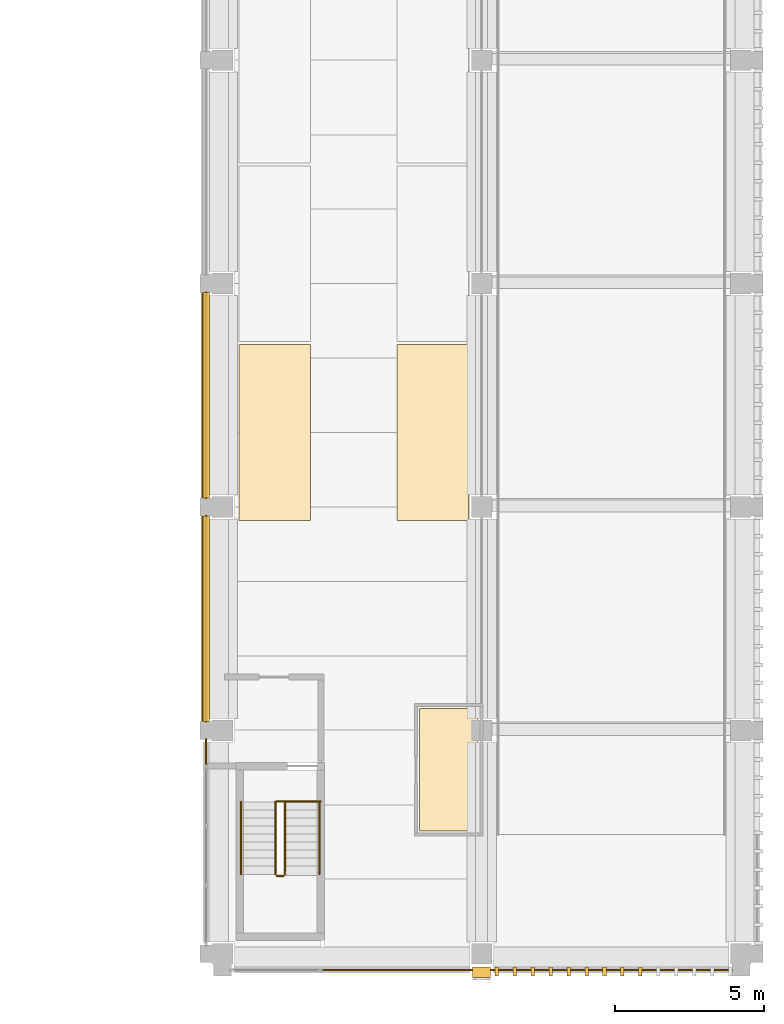
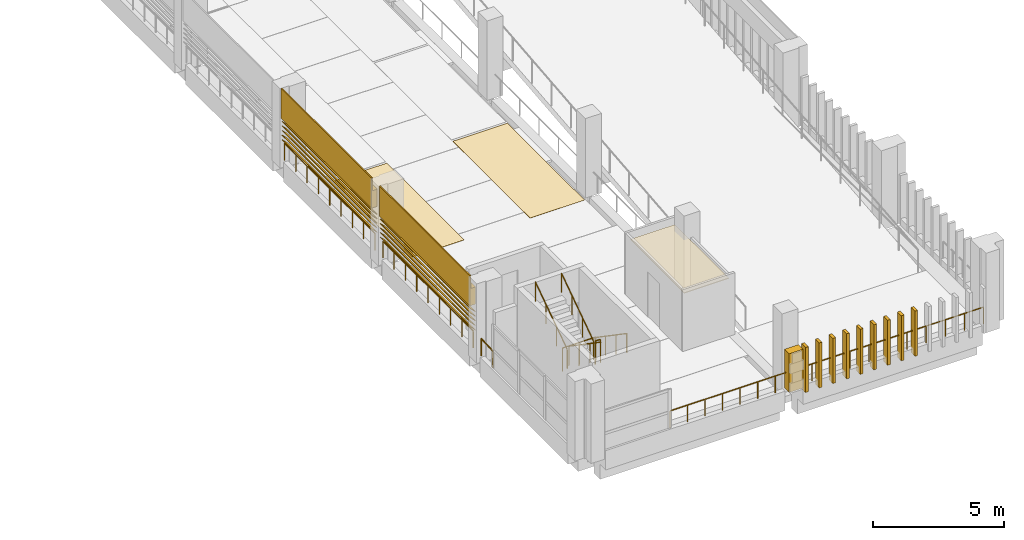
# One storey, part 19 of 24: 15 coverings, 11 railings, 10 shading devices.
"""IFC4 building model written with IfcOpenShell, lengths in metres."""

from ifc_helpers import new_model, si_unit, direction, frame, origin, origin_2d, place, context, subcontext, project, spatial, polyline, circle, outline, extrude, material, layer, layer_set, type_object, element, save


model = new_model("IFC4")

# Units and contexts
model_context = context("Model", 3, precision=1e-05, world=origin(), true_north=direction((0.0, 1.0)))
body_context = subcontext(model_context, "Body", "Model", "MODEL_VIEW")
ifc_project = project(units=[si_unit("LENGTHUNIT", "METRE"), si_unit("AREAUNIT", "SQUARE_METRE"), si_unit("VOLUMEUNIT", "CUBIC_METRE"), si_unit("PLANEANGLEUNIT", "RADIAN"), si_unit("MASSUNIT", "GRAM", prefix="KILO")], contexts=[model_context])

# Site, building, storey
site_placement = place(None, origin())
site = spatial("IfcSite", under=ifc_project, at=site_placement, CompositionType="ELEMENT")
building_placement = place(site_placement, origin())
building = spatial("IfcBuilding", under=site, at=building_placement, Name="Cour d'Honneur Mobility Palace", CompositionType="ELEMENT")
storey_placement = place(building_placement, frame((0.0, 0.0, 26.699951171875)))
storey = spatial("IfcBuildingStorey", under=building, at=storey_placement, Name="L07", CompositionType="ELEMENT", Elevation=26.699951171875)

# Railings
ifc_material_1 = material(Name="Painted steel", Category="steel")
railing_type_1 = type_object("IfcRailingType", Name="Balustrade", PredefinedType="BALUSTRADE", material=ifc_material_1)
railing_1_placement = place(storey_placement, frame((148.199951171875, -0.550048828125, 0.300048828125)))
element("IfcRailing", 1, at=railing_1_placement, inside=storey, type_object=railing_type_1, Name="Balustrade BAL-376", PredefinedType="BALUSTRADE", context=body_context, shape_type="SweptSolid", body=[
    extrude(circle(Radius=0.02392578125, at=origin_2d()), frame((0.0, 0.0, 0.77587890625), z_axis=(1.0, 0.0, 0.0), x_axis=(0.0, 1.0, 0.0)), (0.0, 0.0, 1.0), 5.400146484375),
    extrude(circle(Radius=0.02099609375, at=origin_2d()), origin(), (0.0, 0.0, 1.0), 0.751953125),
    extrude(circle(Radius=0.02099609375, at=origin_2d()), frame((0.771484375, 0.0, 0.0)), (0.0, 0.0, 1.0), 0.751953125),
    extrude(circle(Radius=0.02099609375, at=origin_2d()), frame((1.54296875, 0.0, 0.0)), (0.0, 0.0, 1.0), 0.751953125),
    extrude(circle(Radius=0.02099609375, at=origin_2d()), frame((2.314453125, 0.0, 0.0)), (0.0, 0.0, 1.0), 0.751953125),
    extrude(circle(Radius=0.02099609375, at=origin_2d()), frame((3.085693359375, 0.0, 0.0)), (0.0, 0.0, 1.0), 0.751953125),
    extrude(circle(Radius=0.02099609375, at=origin_2d()), frame((3.857177734375, 0.0, 0.0)), (0.0, 0.0, 1.0), 0.751953125),
    extrude(circle(Radius=0.02099609375, at=origin_2d()), frame((4.628662109375, 0.0, 0.0)), (0.0, 0.0, 1.0), 0.751953125),
    extrude(circle(Radius=0.02099609375, at=origin_2d()), frame((5.400146484375, 0.0, 0.0)), (0.0, 0.0, 1.0), 0.751953125),
])
railing_2_placement = place(storey_placement, frame((153.60009765625, -0.550048828125, 0.300048828125)))
element("IfcRailing", 2, at=railing_2_placement, inside=storey, type_object=railing_type_1, Name="Balustrade BAL-377", PredefinedType="BALUSTRADE", context=body_context, shape_type="SweptSolid", body=[
    extrude(circle(Radius=0.02392578125, at=origin_2d()), frame((0.0, 0.0, 0.77587890625), z_axis=(1.0, 0.0, 0.0), x_axis=(0.0, 1.0, 0.0)), (0.0, 0.0, 1.0), 8.39990234375),
    extrude(circle(Radius=0.02099609375, at=origin_2d()), origin(), (0.0, 0.0, 1.0), 0.751953125),
    extrude(circle(Radius=0.02099609375, at=origin_2d()), frame((0.840087890625, 0.0, 0.0)), (0.0, 0.0, 1.0), 0.751953125),
    extrude(circle(Radius=0.02099609375, at=origin_2d()), frame((1.679931640625, 0.0, 0.0)), (0.0, 0.0, 1.0), 0.751953125),
    extrude(circle(Radius=0.02099609375, at=origin_2d()), frame((2.52001953125, 0.0, 0.0)), (0.0, 0.0, 1.0), 0.751953125),
    extrude(circle(Radius=0.02099609375, at=origin_2d()), frame((3.35986328125, 0.0, 0.0)), (0.0, 0.0, 1.0), 0.751953125),
    extrude(circle(Radius=0.02099609375, at=origin_2d()), frame((4.199951171875, 0.0, 0.0)), (0.0, 0.0, 1.0), 0.751953125),
    extrude(circle(Radius=0.02099609375, at=origin_2d()), frame((5.0400390625, 0.0, 0.0)), (0.0, 0.0, 1.0), 0.751953125),
    extrude(circle(Radius=0.02099609375, at=origin_2d()), frame((5.8798828125, 0.0, 0.0)), (0.0, 0.0, 1.0), 0.751953125),
    extrude(circle(Radius=0.02099609375, at=origin_2d()), frame((6.719970703125, 0.0, 0.0)), (0.0, 0.0, 1.0), 0.751953125),
    extrude(circle(Radius=0.02099609375, at=origin_2d()), frame((7.559814453125, 0.0, 0.0)), (0.0, 0.0, 1.0), 0.751953125),
    extrude(circle(Radius=0.02099609375, at=origin_2d()), frame((8.39990234375, 0.0, 0.0)), (0.0, 0.0, 1.0), 0.751953125),
])
for number, where, name in (
    (3, (144.35009765625, 22.199951171875, 0.300048828125), "Balustrade BAL-385"),
    (4, (144.35009765625, 14.699951171875, 0.300048828125), "Balustrade BAL-386"),
):
    element("IfcRailing", number, at=place(storey_placement, frame(where)), inside=storey, type_object=railing_type_1, Name=name, PredefinedType="BALUSTRADE", context=body_context, shape_type="SweptSolid", body=[
        extrude(circle(Radius=0.02392578125, at=origin_2d()), frame((0.0, 0.0, 0.77587890625), z_axis=(0.0, -1.0, 0.0), x_axis=(1.0, 0.0, 0.0)), (0.0, 0.0, 1.0), 6.89990234375),
        extrude(circle(Radius=0.02099609375, at=origin_2d()), origin(), (0.0, 0.0, 1.0), 0.751953125),
        extrude(circle(Radius=0.02099609375, at=origin_2d()), frame((0.0, -0.862548828125, 0.0)), (0.0, 0.0, 1.0), 0.751953125),
        extrude(circle(Radius=0.02099609375, at=origin_2d()), frame((0.0, -1.72509765625, 0.0)), (0.0, 0.0, 1.0), 0.751953125),
        extrude(circle(Radius=0.02099609375, at=origin_2d()), frame((0.0, -2.58740234375, 0.0)), (0.0, 0.0, 1.0), 0.751953125),
        extrude(circle(Radius=0.02099609375, at=origin_2d()), frame((0.0, -3.449951171875, 0.0)), (0.0, 0.0, 1.0), 0.751953125),
        extrude(circle(Radius=0.02099609375, at=origin_2d()), frame((0.0, -4.3125, 0.0)), (0.0, 0.0, 1.0), 0.751953125),
        extrude(circle(Radius=0.02099609375, at=origin_2d()), frame((0.0, -5.1748046875, 0.0)), (0.0, 0.0, 1.0), 0.751953125),
        extrude(circle(Radius=0.02099609375, at=origin_2d()), frame((0.0, -6.037353515625, 0.0)), (0.0, 0.0, 1.0), 0.751953125),
        extrude(circle(Radius=0.02099609375, at=origin_2d()), frame((0.0, -6.89990234375, 0.0)), (0.0, 0.0, 1.0), 0.751953125),
    ])
railing_3_placement = place(storey_placement, frame((144.35009765625, 7.199951171875, 0.300048828125)))
element("IfcRailing", 5, at=railing_3_placement, inside=storey, type_object=railing_type_1, Name="Balustrade BAL-387", PredefinedType="BALUSTRADE", context=body_context, shape_type="SweptSolid", body=[
    extrude(circle(Radius=0.02392578125, at=origin_2d()), frame((0.0, 0.0, 0.77587890625), z_axis=(0.0, -1.0, 0.0), x_axis=(1.0, 0.0, 0.0)), (0.0, 0.0, 1.0), 0.89990234375),
    extrude(circle(Radius=0.02099609375, at=origin_2d()), origin(), (0.0, 0.0, 1.0), 0.751953125),
    extrude(circle(Radius=0.02099609375, at=origin_2d()), frame((0.0, -0.89990234375, 0.0)), (0.0, 0.0, 1.0), 0.751953125),
])
ifc_material_2 = material(Name="Painted steel", Category="steel")
railing_type_2 = type_object("IfcRailingType", Name="Guardrail 1100", PredefinedType="GUARDRAIL", material=ifc_material_2)
railing_4_placement = place(storey_placement, frame((146.72509765625, 5.1201171875, 0.0)))
element("IfcRailing", 6, at=railing_4_placement, inside=storey, type_object=railing_type_2, Name="Guard ST-RE1", PredefinedType="GUARDRAIL", context=body_context, shape_type="SweptSolid", body=[
    extrude(circle(Radius=0.02490234375, at=origin_2d()), frame((0.0, 0.0, 1.0751953125), z_axis=(1.0, 0.0, 0.0), x_axis=(0.0, 1.0, 0.0)), (0.0, 0.0, 1.0), 1.474853515625),
    extrude(circle(Radius=0.02099609375, at=origin_2d()), origin(), (0.0, 0.0, 1.0), 1.050048828125),
    extrude(circle(Radius=0.02099609375, at=origin_2d()), frame((0.7373046875, 0.0, 0.0)), (0.0, 0.0, 1.0), 1.050048828125),
    extrude(circle(Radius=0.02099609375, at=origin_2d()), frame((1.474853515625, 0.0, 0.0)), (0.0, 0.0, 1.0), 1.050048828125),
])
railing_5_placement = place(storey_placement, frame((146.72509765625, 2.610107421875, 1.85009765625)))
element("IfcRailing", 7, at=railing_5_placement, inside=storey, type_object=railing_type_2, Name="Landing guard ST-RE1", PredefinedType="GUARDRAIL", context=body_context, shape_type="SweptSolid", body=[
    extrude(circle(Radius=0.02490234375, at=origin_2d()), frame((0.0, 0.0, 1.0751953125), z_axis=(1.0, 0.0, 0.0), x_axis=(0.0, 1.0, 0.0)), (0.0, 0.0, 1.0), 0.224853515625),
    extrude(circle(Radius=0.02099609375, at=origin_2d()), origin(), (0.0, 0.0, 1.0), 1.050048828125),
    extrude(circle(Radius=0.02099609375, at=origin_2d()), frame((0.224853515625, 0.0, 0.0)), (0.0, 0.0, 1.0), 1.050048828125),
])
ifc_material_3 = material(Name="Stainless steel", Category="steel")
railing_type_3 = type_object("IfcRailingType", Name="Handrail round 50", PredefinedType="HANDRAIL", material=ifc_material_3)
for number, where, name in (
    (8, (148.14990234375, 5.10009765625, 0.18505859375), "Handrail ST-RE1"),
    (9, (147.0, 5.10009765625, 0.18505859375), "Handrail ST-RE1"),
):
    element("IfcRailing", number, at=place(storey_placement, frame(where)), inside=storey, type_object=railing_type_3, Name=name, PredefinedType="HANDRAIL", context=body_context, shape_type="SweptSolid", body=[
        extrude(circle(Radius=0.02490234375, at=origin_2d()), frame((0.0, 0.0, 0.89501953125), z_axis=(0.0, -0.824945253146, 0.565212640793), x_axis=(1.0, 0.0, 0.0)), (0.0, 0.0, 1.0), 2.94580078125),
        extrude(circle(Radius=0.02099609375, at=origin_2d()), origin(), (0.0, 0.0, 1.0), 0.869873046875),
        extrude(circle(Radius=0.02099609375, at=origin_2d()), frame((0.0, -0.81005859375, 0.554931640625)), (0.0, 0.0, 1.0), 0.869873046875),
        extrude(circle(Radius=0.02099609375, at=origin_2d()), frame((0.0, -1.6201171875, 1.110107421875)), (0.0, 0.0, 1.0), 0.869873046875),
        extrude(circle(Radius=0.02099609375, at=origin_2d()), frame((0.0, -2.43017578125, 1.6650390625)), (0.0, 0.0, 1.0), 0.869873046875),
    ])
for number, where, name in (
    (10, (146.675048828125, 2.669921875, 2.03515625), "Handrail ST-RE1"),
    (11, (145.52490234375, 2.669921875, 2.03515625), "Handrail ST-RE1"),
):
    element("IfcRailing", number, at=place(storey_placement, frame(where)), inside=storey, type_object=railing_type_3, Name=name, PredefinedType="HANDRAIL", context=body_context, shape_type="SweptSolid", body=[
        extrude(circle(Radius=0.02490234375, at=origin_2d()), frame((0.0, 0.0, 0.89501953125), z_axis=(0.0, 0.824983895463, 0.565156237006), x_axis=(-1.0, 0.0, 0.0)), (0.0, 0.0, 1.0), 2.94580078125),
        extrude(circle(Radius=0.02099609375, at=origin_2d()), origin(), (0.0, 0.0, 1.0), 0.869873046875),
        extrude(circle(Radius=0.02099609375, at=origin_2d()), frame((0.0, 0.81005859375, 0.554931640625)), (0.0, 0.0, 1.0), 0.869873046875),
        extrude(circle(Radius=0.02099609375, at=origin_2d()), frame((0.0, 1.6201171875, 1.10986328125)), (0.0, 0.0, 1.0), 0.869873046875),
        extrude(circle(Radius=0.02099609375, at=origin_2d()), frame((0.0, 2.43017578125, 1.664794921875)), (0.0, 0.0, 1.0), 0.869873046875),
    ])

# Coverings
ifc_material_4 = material(Name="Parking marking paint")
ifc_layer_1 = layer(ifc_material_4, 0.0048828125)
ifc_layer_set_1 = layer_set([ifc_layer_1], Name="Parking marking paint")
covering_type_1 = type_object("IfcCoveringType", Name="Parking bay marking", PredefinedType="FLOORING", material=ifc_layer_set_1)
covering_1_placement = place(storey_placement, origin())
element("IfcCovering", 12, at=covering_1_placement, inside=storey, type_object=covering_type_1, Name="Parking bay marking L07 1", PredefinedType="FLOORING", context=body_context, shape_type="SweptSolid", body=[
    extrude(outline(polyline([(153.14990234375, 14.550048828125), (150.75, 14.550048828125), (150.75, 20.449951171875), (153.14990234375, 20.449951171875), (153.14990234375, 14.550048828125)])), origin(), (0.0, 0.0, 1.0), 0.005126953125),
])
covering_2_placement = place(storey_placement, origin())
element("IfcCovering", 13, at=covering_2_placement, inside=storey, type_object=covering_type_1, Name="Parking bay marking L07 5", PredefinedType="FLOORING", context=body_context, shape_type="SweptSolid", body=[
    extrude(outline(polyline([(147.85009765625, 14.550048828125), (145.449951171875, 14.550048828125), (145.449951171875, 20.449951171875), (147.85009765625, 20.449951171875), (147.85009765625, 14.550048828125)])), origin(), (0.0, 0.0, 1.0), 0.005126953125),
])
ifc_material_5 = material(Name="Cast limestone", Category="masonry")
ifc_layer_2 = layer(ifc_material_5, 0.35009765625)
ifc_layer_set_2 = layer_set([ifc_layer_2], Name="Cast limestone")
covering_type_2 = type_object("IfcCoveringType", Name="Pier pilaster", PredefinedType="CLADDING", material=ifc_layer_set_2)
covering_3_placement = place(storey_placement, frame((0.0, 0.0, 0.300048828125)))
element("IfcCovering", 14, at=covering_3_placement, inside=storey, type_object=covering_type_2, Name="Pier pilaster PN-14", PredefinedType="CLADDING", context=body_context, shape_type="SweptSolid", body=[
    extrude(outline(polyline([(153.300048828125, -0.449951171875), (153.89990234375, -0.449951171875), (153.89990234375, -0.800048828125), (153.300048828125, -0.800048828125), (153.300048828125, -0.449951171875)])), origin(), (0.0, 0.0, 1.0), 1.800048828125),
])
ifc_material_6 = material(Name="Cast limestone", Category="masonry")
ifc_layer_3 = layer(ifc_material_6, 0.1201171875)
ifc_layer_set_3 = layer_set([ifc_layer_3], Name="Cast limestone")
covering_type_3 = type_object("IfcCoveringType", Name="Ramp screen fin", PredefinedType="CLADDING", material=ifc_layer_set_3)
covering_4_placement = place(storey_placement, origin())
element("IfcCovering", 15, at=covering_4_placement, inside=storey, type_object=covering_type_3, Name="Ramp screen fin S4.1 L07 1", PredefinedType="CLADDING", context=body_context, shape_type="SweptSolid", body=[
    extrude(outline(polyline([(154.050048828125, -0.449951171875), (154.169921875, -0.449951171875), (154.169921875, -0.75), (154.050048828125, -0.75), (154.050048828125, -0.449951171875)])), origin(), (0.0, 0.0, 1.0), 2.10009765625),
])
covering_5_placement = place(storey_placement, origin())
element("IfcCovering", 16, at=covering_5_placement, inside=storey, type_object=covering_type_3, Name="Ramp screen fin S4.1 L07 2", PredefinedType="CLADDING", context=body_context, shape_type="SweptSolid", body=[
    extrude(outline(polyline([(154.65234375, -0.449951171875), (154.772216796875, -0.449951171875), (154.772216796875, -0.75), (154.65234375, -0.75), (154.65234375, -0.449951171875)])), origin(), (0.0, 0.0, 1.0), 2.10009765625),
])
covering_6_placement = place(storey_placement, origin())
element("IfcCovering", 17, at=covering_6_placement, inside=storey, type_object=covering_type_3, Name="Ramp screen fin S4.1 L07 3", PredefinedType="CLADDING", context=body_context, shape_type="SweptSolid", body=[
    extrude(outline(polyline([(155.254638671875, -0.449951171875), (155.37451171875, -0.449951171875), (155.37451171875, -0.75), (155.254638671875, -0.75), (155.254638671875, -0.449951171875)])), origin(), (0.0, 0.0, 1.0), 2.10009765625),
])
covering_7_placement = place(storey_placement, origin())
element("IfcCovering", 18, at=covering_7_placement, inside=storey, type_object=covering_type_3, Name="Ramp screen fin S4.1 L07 4", PredefinedType="CLADDING", context=body_context, shape_type="SweptSolid", body=[
    extrude(outline(polyline([(155.85693359375, -0.449951171875), (155.976806640625, -0.449951171875), (155.976806640625, -0.75), (155.85693359375, -0.75), (155.85693359375, -0.449951171875)])), origin(), (0.0, 0.0, 1.0), 2.10009765625),
])
covering_8_placement = place(storey_placement, origin())
element("IfcCovering", 19, at=covering_8_placement, inside=storey, type_object=covering_type_3, Name="Ramp screen fin S4.1 L07 5", PredefinedType="CLADDING", context=body_context, shape_type="SweptSolid", body=[
    extrude(outline(polyline([(156.459228515625, -0.449951171875), (156.579345703125, -0.449951171875), (156.579345703125, -0.75), (156.459228515625, -0.75), (156.459228515625, -0.449951171875)])), origin(), (0.0, 0.0, 1.0), 2.10009765625),
])
covering_9_placement = place(storey_placement, origin())
element("IfcCovering", 20, at=covering_9_placement, inside=storey, type_object=covering_type_3, Name="Ramp screen fin S4.1 L07 6", PredefinedType="CLADDING", context=body_context, shape_type="SweptSolid", body=[
    extrude(outline(polyline([(157.0615234375, -0.449951171875), (157.181640625, -0.449951171875), (157.181640625, -0.75), (157.0615234375, -0.75), (157.0615234375, -0.449951171875)])), origin(), (0.0, 0.0, 1.0), 2.10009765625),
])
covering_10_placement = place(storey_placement, origin())
element("IfcCovering", 21, at=covering_10_placement, inside=storey, type_object=covering_type_3, Name="Ramp screen fin S4.1 L07 7", PredefinedType="CLADDING", context=body_context, shape_type="SweptSolid", body=[
    extrude(outline(polyline([(157.663818359375, -0.449951171875), (157.783935546875, -0.449951171875), (157.783935546875, -0.75), (157.663818359375, -0.75), (157.663818359375, -0.449951171875)])), origin(), (0.0, 0.0, 1.0), 2.10009765625),
])
covering_11_placement = place(storey_placement, origin())
element("IfcCovering", 22, at=covering_11_placement, inside=storey, type_object=covering_type_3, Name="Ramp screen fin S4.1 L07 8", PredefinedType="CLADDING", context=body_context, shape_type="SweptSolid", body=[
    extrude(outline(polyline([(158.26611328125, -0.449951171875), (158.38623046875, -0.449951171875), (158.38623046875, -0.75), (158.26611328125, -0.75), (158.26611328125, -0.449951171875)])), origin(), (0.0, 0.0, 1.0), 2.10009765625),
])
covering_12_placement = place(storey_placement, origin())
element("IfcCovering", 23, at=covering_12_placement, inside=storey, type_object=covering_type_3, Name="Ramp screen fin S4.1 L07 9", PredefinedType="CLADDING", context=body_context, shape_type="SweptSolid", body=[
    extrude(outline(polyline([(158.868408203125, -0.449951171875), (158.988525390625, -0.449951171875), (158.988525390625, -0.75), (158.868408203125, -0.75), (158.868408203125, -0.449951171875)])), origin(), (0.0, 0.0, 1.0), 2.10009765625),
])
ifc_material_7 = material(Name="Cast limestone", Category="masonry")
ifc_layer_4 = layer(ifc_material_7, 0.25)
ifc_layer_set_4 = layer_set([ifc_layer_4], Name="Cast limestone")
covering_type_4 = type_object("IfcCoveringType", Name="Spandrel cladding", PredefinedType="CLADDING", material=ifc_layer_set_4)
for number, where, z_axis, x_axis, name in (
    (24, (144.449951171875, 22.199951171875, 2.300048828125), (0.0, 1.0, 0.0), (-1.0, 0.0, 0.0), "Spandrel cladding SK-389"),
    (25, (144.449951171875, 14.699951171875, 2.300048828125), (0.0, 1.0, 0.0), (-1.0, 0.0, 0.0), "Spandrel cladding SK-390"),
):
    element("IfcCovering", number, at=place(storey_placement, frame(where, z_axis=z_axis, x_axis=x_axis)), inside=storey, type_object=covering_type_4, Name=name, PredefinedType="CLADDING", context=body_context, shape_type="SweptSolid", body=[
        extrude(outline(polyline([(0.0, 0.0), (0.25, 0.0), (0.25, 1.39990234375), (0.199951171875, 1.39990234375), (0.199951171875, 0.800048828125), (0.0, 0.800048828125), (0.0, 0.0)])), origin(), (0.0, 0.0, -1.0), 6.89990234375),
    ])
ifc_material_8 = material(Name="Suspended ceiling")
ifc_layer_5 = layer(ifc_material_8, 0.030029296875)
ifc_layer_set_5 = layer_set([ifc_layer_5], Name="Suspended ceiling")
covering_type_5 = type_object("IfcCoveringType", Name="Suspended ceiling", PredefinedType="CEILING", material=ifc_layer_set_5)
covering_13_placement = place(storey_placement, frame((0.0, 0.0, 2.550048828125)))
element("IfcCovering", 26, at=covering_13_placement, inside=storey, type_object=covering_type_5, Name="Ceiling Valet Handover East", PredefinedType="CEILING", context=body_context, shape_type="SweptSolid", body=[
    extrude(outline(polyline([(153.47998046875, 4.1201171875), (151.52001953125, 4.1201171875), (151.52001953125, 8.22998046875), (153.47998046875, 8.22998046875), (153.47998046875, 4.1201171875)])), origin(), (0.0, 0.0, 1.0), 0.030029296875),
])

# Shading devices
ifc_material_9 = material(Name="Terracotta", Category="masonry")
ifc_layer_6 = layer(ifc_material_9, 0.02490234375)
ifc_layer_set_6 = layer_set([ifc_layer_6], Name="Terracotta")
shading_device_type = type_object("IfcShadingDeviceType", Name="Terracotta louvre blade", PredefinedType="JALOUSIE", material=ifc_layer_set_6)
for number, where, z_axis, x_axis, name in (
    (27, (144.4560546875, 22.199951171875, 1.10009765625), (0.707106781187, 0.0, 0.707106781187), (0.0, -1.0, 0.0), "Louvre blade LV-1 W7.4 L07 1"),
    (28, (144.4560546875, 22.199951171875, 1.312255859375), (0.707106781187, 0.0, 0.707106781187), (0.0, -1.0, 0.0), "Louvre blade LV-1 W7.4 L07 2"),
):
    element("IfcShadingDevice", number, at=place(storey_placement, frame(where, z_axis=z_axis, x_axis=x_axis)), inside=storey, type_object=shading_device_type, Name=name, PredefinedType="JALOUSIE", context=body_context, shape_type="SweptSolid", body=[
        extrude(outline(polyline([(0.0, 0.0), (6.89990234375, 0.0), (6.89990234375, -0.300037008228081), (0.0, -0.300037008228081), (0.0, 0.0)])), origin(), (0.0, 0.0, -1.0), 0.02490234375),
    ])
shading_device_1_placement = place(storey_placement, frame((144.4560546875, 22.199951171875, 1.5244140625), z_axis=(0.706699578995, 0.0, 0.707513749017), x_axis=(0.0, -1.0, 0.0)))
element("IfcShadingDevice", 29, at=shading_device_1_placement, inside=storey, type_object=shading_device_type, Name="Louvre blade LV-1 W7.4 L07 3", PredefinedType="JALOUSIE", context=body_context, shape_type="SweptSolid", body=[
    extrude(outline(polyline([(0.0, 0.0), (6.89990234375, 0.0), (6.89990234375, -0.29986442442957895), (0.0, -0.29986442442957895), (0.0, 0.0)])), origin(), (0.0, 0.0, -1.0), 0.02490234375),
])
for number, where, z_axis, x_axis, name in (
    (30, (144.4560546875, 22.199951171875, 1.736328125), (0.707106781187, 0.0, 0.707106781187), (0.0, -1.0, 0.0), "Louvre blade LV-1 W7.4 L07 4"),
    (31, (144.4560546875, 22.199951171875, 1.948486328125), (0.707106781187, 0.0, 0.707106781187), (0.0, -1.0, 0.0), "Louvre blade LV-1 W7.4 L07 5"),
    (32, (144.4560546875, 14.699951171875, 1.10009765625), (0.707106781187, 0.0, 0.707106781187), (0.0, -1.0, 0.0), "Louvre blade LV-1 W7.5 L07 1"),
    (33, (144.4560546875, 14.699951171875, 1.312255859375), (0.707106781187, 0.0, 0.707106781187), (0.0, -1.0, 0.0), "Louvre blade LV-1 W7.5 L07 2"),
):
    element("IfcShadingDevice", number, at=place(storey_placement, frame(where, z_axis=z_axis, x_axis=x_axis)), inside=storey, type_object=shading_device_type, Name=name, PredefinedType="JALOUSIE", context=body_context, shape_type="SweptSolid", body=[
        extrude(outline(polyline([(0.0, 0.0), (6.89990234375, 0.0), (6.89990234375, -0.300037008228081), (0.0, -0.300037008228081), (0.0, 0.0)])), origin(), (0.0, 0.0, -1.0), 0.02490234375),
    ])
shading_device_2_placement = place(storey_placement, frame((144.4560546875, 14.699951171875, 1.5244140625), z_axis=(0.706699578995, 0.0, 0.707513749017), x_axis=(0.0, -1.0, 0.0)))
element("IfcShadingDevice", 34, at=shading_device_2_placement, inside=storey, type_object=shading_device_type, Name="Louvre blade LV-1 W7.5 L07 3", PredefinedType="JALOUSIE", context=body_context, shape_type="SweptSolid", body=[
    extrude(outline(polyline([(0.0, 0.0), (6.89990234375, 0.0), (6.89990234375, -0.29986442442957895), (0.0, -0.29986442442957895), (0.0, 0.0)])), origin(), (0.0, 0.0, -1.0), 0.02490234375),
])
for number, where, z_axis, x_axis, name in (
    (35, (144.4560546875, 14.699951171875, 1.736328125), (0.707106781187, 0.0, 0.707106781187), (0.0, -1.0, 0.0), "Louvre blade LV-1 W7.5 L07 4"),
    (36, (144.4560546875, 14.699951171875, 1.948486328125), (0.707106781187, 0.0, 0.707106781187), (0.0, -1.0, 0.0), "Louvre blade LV-1 W7.5 L07 5"),
):
    element("IfcShadingDevice", number, at=place(storey_placement, frame(where, z_axis=z_axis, x_axis=x_axis)), inside=storey, type_object=shading_device_type, Name=name, PredefinedType="JALOUSIE", context=body_context, shape_type="SweptSolid", body=[
        extrude(outline(polyline([(0.0, 0.0), (6.89990234375, 0.0), (6.89990234375, -0.300037008228081), (0.0, -0.300037008228081), (0.0, 0.0)])), origin(), (0.0, 0.0, -1.0), 0.02490234375),
    ])

save(model, "model.ifc")
